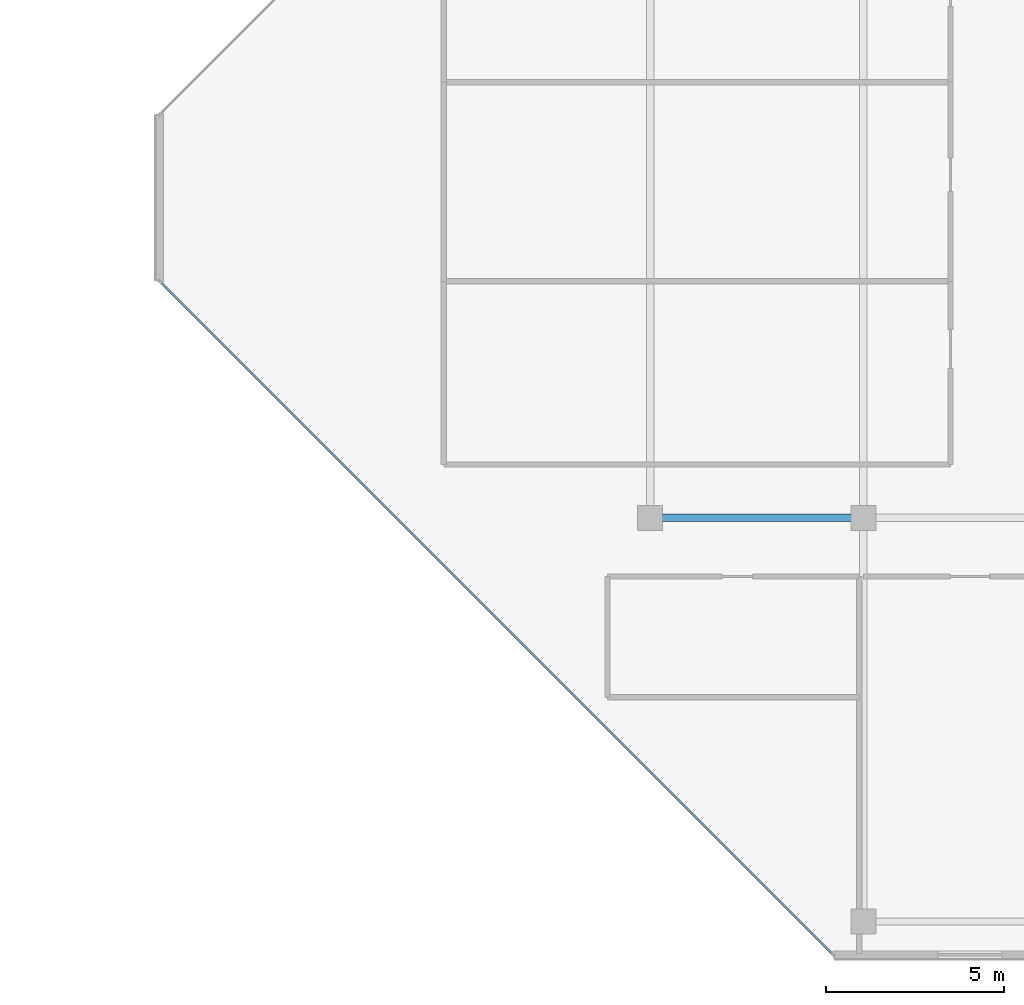
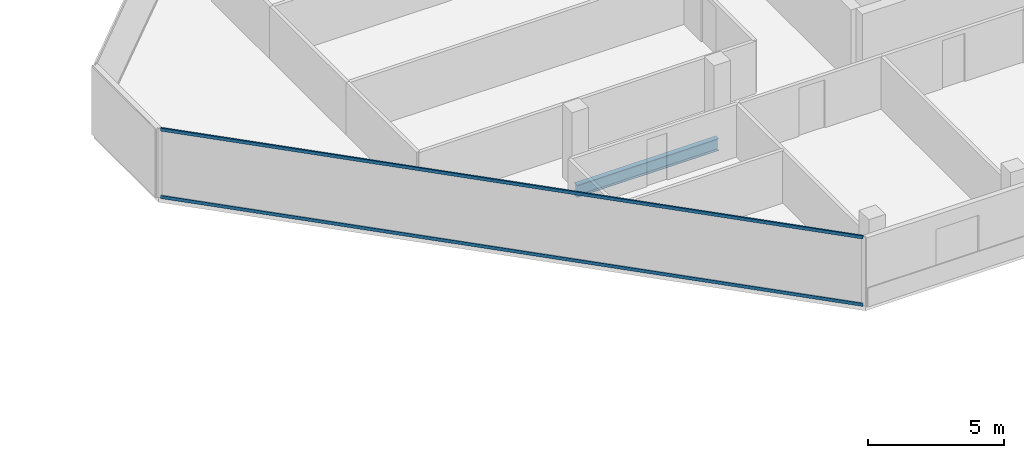
# One storey, part 9 of 29: 2 members, 1 beam, 1 element without a shape of its own.
"""IFC4 building model written with IfcOpenShell, lengths in metres."""

from ifc_helpers import new_model, si_unit, direction, frame, origin, origin_2d, place, context, subcontext, project, spatial, hollow_rectangle, i_section, extrude, material, layer, layer_set, material_profile, profile_set, type_object, element, aggregate, save


model = new_model("IFC4")

# Units and contexts
model_context = context("Model", 3, precision=1e-05, world=origin(), true_north=direction((0.0, 1.0)))
body_context = subcontext(model_context, "Body", "Model", "MODEL_VIEW")
ifc_project = project(units=[si_unit("LENGTHUNIT", "METRE"), si_unit("AREAUNIT", "SQUARE_METRE"), si_unit("VOLUMEUNIT", "CUBIC_METRE"), si_unit("PLANEANGLEUNIT", "RADIAN"), si_unit("MASSUNIT", "GRAM", prefix="KILO")], contexts=[model_context])

# Site, building, storey
site_placement = place(None, origin())
site = spatial("IfcSite", under=ifc_project, at=site_placement, CompositionType="ELEMENT")
building_placement = place(site_placement, origin())
building = spatial("IfcBuilding", under=site, at=building_placement, Name="Tanjung Sevakor Pilgrim Tower", CompositionType="ELEMENT")
storey_placement = place(building_placement, frame((0.0, 0.0, 235.949951171875)))
storey = spatial("IfcBuildingStorey", under=building, at=storey_placement, Name="L66", CompositionType="ELEMENT", Elevation=235.949951171875)

# Beam
ifc_material_1 = material(Name="Steel S355J2", Category="steel")
ifc_material_profile_1 = material_profile(ifc_material_1, i_section(OverallWidth=0.2119140625, OverallDepth=0.54443359375, WebThickness=0.0126953125, FlangeThickness=0.021240234375, FilletRadius=0.0126953125, at=origin_2d()))
ifc_profile_set_1 = profile_set([ifc_material_profile_1], Name="Steel S355J2")
beam_type = type_object("IfcBeamType", Name="BM-B-G5-UB_533x210x122", PredefinedType="BEAM", material=ifc_profile_set_1)
beam_placement = place(storey_placement, frame((66.0, 24.60009765625, -0.4921875), z_axis=(1.0, 0.0, 0.0), x_axis=(0.0, 1.0, 0.0)))
element("IfcBeam", 1, at=beam_placement, inside=storey, type_object=beam_type, Name="L66 Primary Floor Girder EAST Y246-01", PredefinedType="BEAM", context=body_context, shape_type="SweptSolid", body=[
    extrude(i_section(OverallWidth=0.2119140625, OverallDepth=0.54443359375, WebThickness=0.0126953125, FlangeThickness=0.021240234375, FilletRadius=0.0126953125, at=origin_2d()), origin(), (0.0, 0.0, 1.0), 6.0),
])

# Curtain wall, members
ifc_material_2 = material(Name="Aluminium 6063-T6 and Low-E Glass", Category="aluminium")
ifc_layer = layer(ifc_material_2, 0.179931640625)
ifc_layer_set = layer_set([ifc_layer], Name="CW-SYS-CHAM")
curtain_wall_type = type_object("IfcCurtainWallType", Name="CW-SYS-CHAM", PredefinedType="NOTDEFINED", material=ifc_layer_set)
curtain_wall_placement = place(storey_placement, origin())
curtain_wall = element("IfcCurtainWall", 2, at=curtain_wall_placement, inside=storey, type_object=curtain_wall_type, Name="L66 Curtain Wall CW-CHM-L66-EAST-7", PredefinedType="NOTDEFINED")
ifc_material_3 = material(Name="Aluminium 6063-T6", Category="aluminium")
ifc_material_profile_2 = material_profile(ifc_material_3, hollow_rectangle(XDim=0.06494140625, YDim=0.139892578125, WallThickness=0.00390625, at=origin_2d()))
ifc_profile_set_2 = profile_set([ifc_material_profile_2], Name="Aluminium 6063-T6")
member_type = type_object("IfcMemberType", Name="TYPE-CWT-1", PredefinedType="USERDEFINED", material=ifc_profile_set_2)
member_1_placement = place(storey_placement, frame((52.255859375, 31.19970703125, 0.032470703125), z_axis=(0.707106781187, -0.707106781187, 0.0), x_axis=(0.707106781187, 0.707106781187, 0.0)))
member_1 = element("IfcMember", 3, at=member_1_placement, type_object=member_type, Name="CW-CHM transom 1.1", ObjectType="TRANSOM", PredefinedType="USERDEFINED", context=body_context, shape_type="SweptSolid", body=[
    extrude(hollow_rectangle(XDim=0.06494140625, YDim=0.139892578125, WallThickness=0.00390625, at=origin_2d()), origin(), (0.0, 0.0, 1.0), 26.649169921875),
])
member_2_placement = place(storey_placement, frame((52.255859375, 31.19970703125, 3.047607421875), z_axis=(0.707106781187, -0.707106781187, 0.0), x_axis=(0.707106781187, 0.707106781187, 0.0)))
member_2 = element("IfcMember", 4, at=member_2_placement, type_object=member_type, Name="CW-CHM transom 1.2", ObjectType="TRANSOM", PredefinedType="USERDEFINED", context=body_context, shape_type="SweptSolid", body=[
    extrude(hollow_rectangle(XDim=0.06494140625, YDim=0.139892578125, WallThickness=0.00390625, at=origin_2d()), origin(), (0.0, 0.0, 1.0), 26.649169921875),
])
aggregate(curtain_wall, [member_1, member_2])

save(model, "model.ifc")
